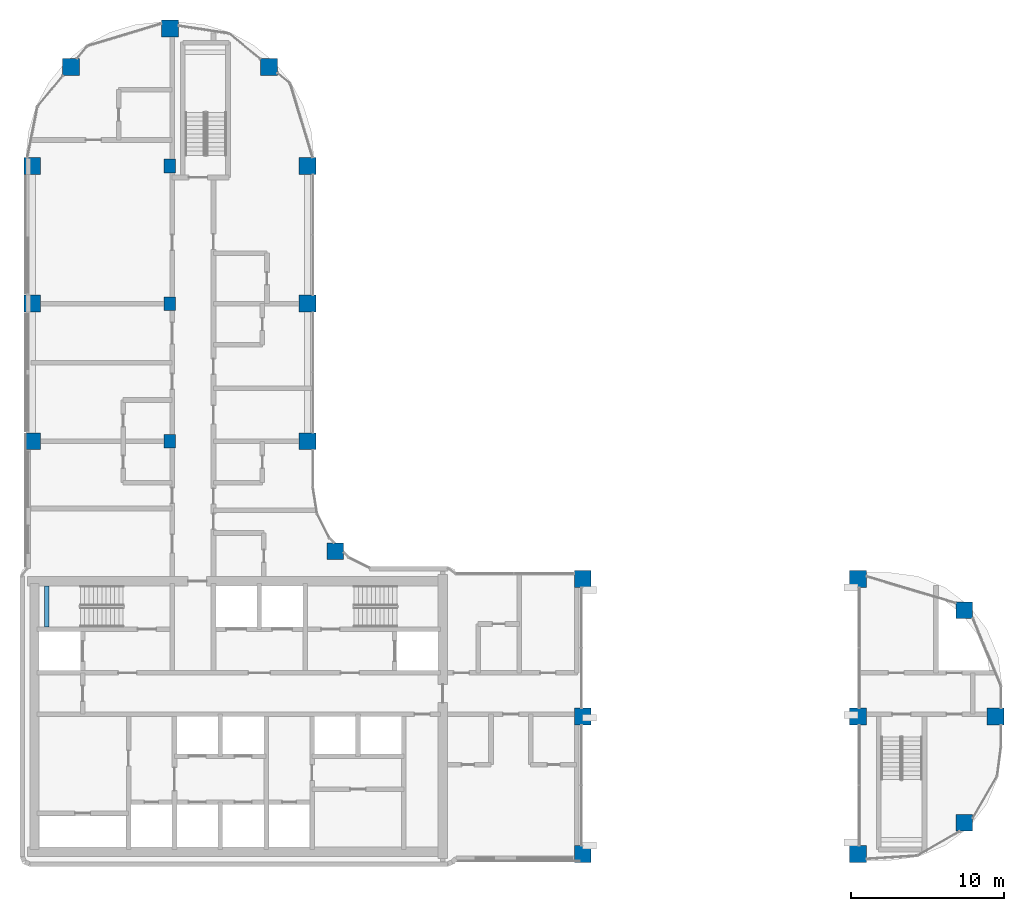
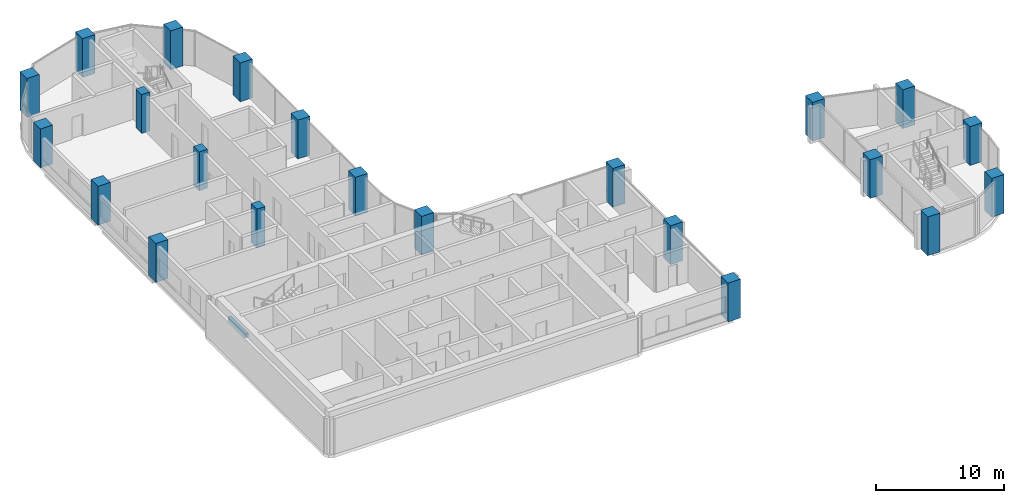
# One storey, part 1 of 21: 22 columns, 1 beam.
"""IFC4 building model written with IfcOpenShell, lengths in metres."""

from ifc_helpers import new_model, si_unit, direction, frame, origin, origin_2d, place, context, subcontext, project, spatial, rectangle, extrude, material, material_profile, profile_set, type_object, element, save


model = new_model("IFC4")

# Units and contexts
model_context = context("Model", 3, precision=1e-05, world=origin(), true_north=direction((0.0, 1.0)))
body_context = subcontext(model_context, "Body", "Model", "MODEL_VIEW")
ifc_project = project(units=[si_unit("LENGTHUNIT", "METRE"), si_unit("AREAUNIT", "SQUARE_METRE"), si_unit("VOLUMEUNIT", "CUBIC_METRE"), si_unit("PLANEANGLEUNIT", "RADIAN"), si_unit("MASSUNIT", "GRAM", prefix="KILO")], contexts=[model_context])

# Site, building, storey
site_placement = place(None, origin())
site = spatial("IfcSite", under=ifc_project, at=site_placement, CompositionType="ELEMENT")
building_placement = place(site_placement, origin())
building = spatial("IfcBuilding", under=site, at=building_placement, Name="Ogive Portal Towers", CompositionType="ELEMENT")
storey_placement = place(building_placement, frame((0.0, 0.0, 157.0)))
storey = spatial("IfcBuildingStorey", under=building, at=storey_placement, Name="L38", CompositionType="ELEMENT", Elevation=157.0)

# Columns
ifc_material_1 = material(Name="Concrete C60/75", Category="concrete")
ifc_material_profile_1 = material_profile(ifc_material_1, rectangle(XDim=1.10009765625, YDim=1.10009765625, at=origin_2d()), Name="RC 1100x1100")
ifc_profile_set_1 = profile_set([ifc_material_profile_1], Name="Concrete C60/75")
column_type_1 = type_object("IfcColumnType", Name="COLUMN RC 1100x1100", PredefinedType="COLUMN", material=ifc_profile_set_1)
for number, where, z_axis, x_axis, name in (
    (1, (67.5, 21.5, 0.0), (0.0, 0.0, 1.0), (1.0, 0.0, 0.0), "Column 5/A L38"),
    (2, (85.5, 21.5, 0.0), (0.0, 0.0, 1.0), (1.0, 0.0, 0.0), "Column 7/A L38"),
    (3, (92.449951171875, 23.550048828125, 0.0), (0.0, 0.0, 1.0), (1.0, 0.0, 0.0), "Column L38"),
    (4, (67.5, 30.5, 0.0), (0.0, 0.0, 1.0), (1.0, 0.0, 0.0), "Column 5/B L38"),
    (5, (85.5, 30.5, 0.0), (0.0, 0.0, 1.0), (1.0, 0.0, 0.0), "Column 7/B L38"),
    (6, (94.5, 30.5, 0.0), (0.0, 0.0, 1.0), (1.0, 0.0, 0.0), "Column 8/B L38"),
    (7, (92.449951171875, 37.449951171875, 0.0), (0.0, 0.0, 1.0), (1.0, 0.0, 0.0), "Column L38"),
    (8, (67.5, 39.5, 0.0), (0.0, 0.0, 1.0), (1.0, 0.0, 0.0), "Column 5/C L38"),
    (9, (85.5, 39.5, 0.0), (0.0, 0.0, 1.0), (1.0, 0.0, 0.0), "Column 7/C L38"),
    (10, (51.31005859375, 41.31005859375, 0.0), (0.0, 0.0, 1.0), (1.0, 0.0, 0.0), "Column L38"),
    (11, (31.5, 48.5, 0.0), (0.0, 0.0, 1.0), (1.0, 0.0, 0.0), "Column 1/D L38"),
    (12, (49.5, 48.5, 0.0), (0.0, 0.0, 1.0), (1.0, 0.0, 0.0), "Column 3/D L38"),
    (13, (31.5, 57.5, 0.0), (0.0, 0.0, 1.0), (1.0, 0.0, 0.0), "Column 1/E L38"),
    (14, (49.5, 57.5, 0.0), (0.0, 0.0, 1.0), (1.0, 0.0, 0.0), "Column 3/E L38"),
    (15, (31.5, 66.5, 0.0), (0.0, 0.0, 1.0), (1.0, 0.0, 0.0), "Column 1/F L38"),
    (16, (49.5, 66.5, 0.0), (0.0, 0.0, 1.0), (1.0, 0.0, 0.0), "Column 3/F L38"),
    (17, (34.027099609375, 72.972900390625, 0.0), (0.0, 0.0, 1.0), (1.0, 0.0, 0.0), "Column L38"),
    (18, (46.972900390625, 72.972900390625, 0.0), (0.0, 0.0, 1.0), (1.0, 0.0, 0.0), "Column L38"),
    (19, (40.5, 75.5, 0.0), (0.0, 0.0, 1.0), (1.0, 0.0, 0.0), "Column 2/G L38"),
):
    element("IfcColumn", number, at=place(storey_placement, frame(where, z_axis=z_axis, x_axis=x_axis)), inside=storey, type_object=column_type_1, Name=name, PredefinedType="COLUMN", context=body_context, shape_type="SweptSolid", body=[
        extrude(rectangle(XDim=1.10009765625, YDim=1.10009765625, at=origin_2d()), origin(), (0.0, 0.0, 1.0), 3.699951171875),
    ])
ifc_material_profile_2 = material_profile(ifc_material_1, rectangle(XDim=0.89990234375, YDim=0.75, at=origin_2d()), Name="RC 900x750")
ifc_profile_set_2 = profile_set([ifc_material_profile_2], Name="Concrete C60/75")
column_type_2 = type_object("IfcColumnType", Name="COLUMN RC 900x750", PredefinedType="COLUMN", material=ifc_profile_set_2)
for number, where, z_axis, x_axis, name in (
    (20, (40.5, 48.5, 0.0), (0.0, 0.0, 1.0), (0.0, 1.0, 0.0), "Column 2/D L38"),
    (21, (40.5, 57.5, 0.0), (0.0, 0.0, 1.0), (0.0, 1.0, 0.0), "Column 2/E L38"),
    (22, (40.5, 66.5, 0.0), (0.0, 0.0, 1.0), (0.0, 1.0, 0.0), "Column 2/F L38"),
):
    element("IfcColumn", number, at=place(storey_placement, frame(where, z_axis=z_axis, x_axis=x_axis)), inside=storey, type_object=column_type_2, Name=name, PredefinedType="COLUMN", context=body_context, shape_type="SweptSolid", body=[
        extrude(rectangle(XDim=0.89990234375, YDim=0.75, at=origin_2d()), origin(), (0.0, 0.0, 1.0), 3.699951171875),
    ])

# Beam
ifc_material_2 = material(Name="Concrete C40/50", Category="concrete")
ifc_material_profile_3 = material_profile(ifc_material_2, rectangle(XDim=0.300048828125, YDim=0.39990234375, at=origin_2d()), Name="RC 300x400")
ifc_profile_set_3 = profile_set([ifc_material_profile_3], Name="Concrete C40/50")
beam_type = type_object("IfcBeamType", Name="BEAM RC 300x400", PredefinedType="BEAM", material=ifc_profile_set_3)
beam_placement = place(storey_placement, frame((32.449951171875, 36.35009765625, 1.449951171875), z_axis=(0.0, 1.0, 0.0), x_axis=(-1.0, 0.0, 0.0)))
element("IfcBeam", 23, at=beam_placement, inside=storey, type_object=beam_type, Name="Landing beam L38", PredefinedType="BEAM", context=body_context, shape_type="SweptSolid", body=[
    extrude(rectangle(XDim=0.300048828125, YDim=0.39990234375, at=origin_2d()), origin(), (0.0, 0.0, 1.0), 2.699951171875),
])

save(model, "model.ifc")
